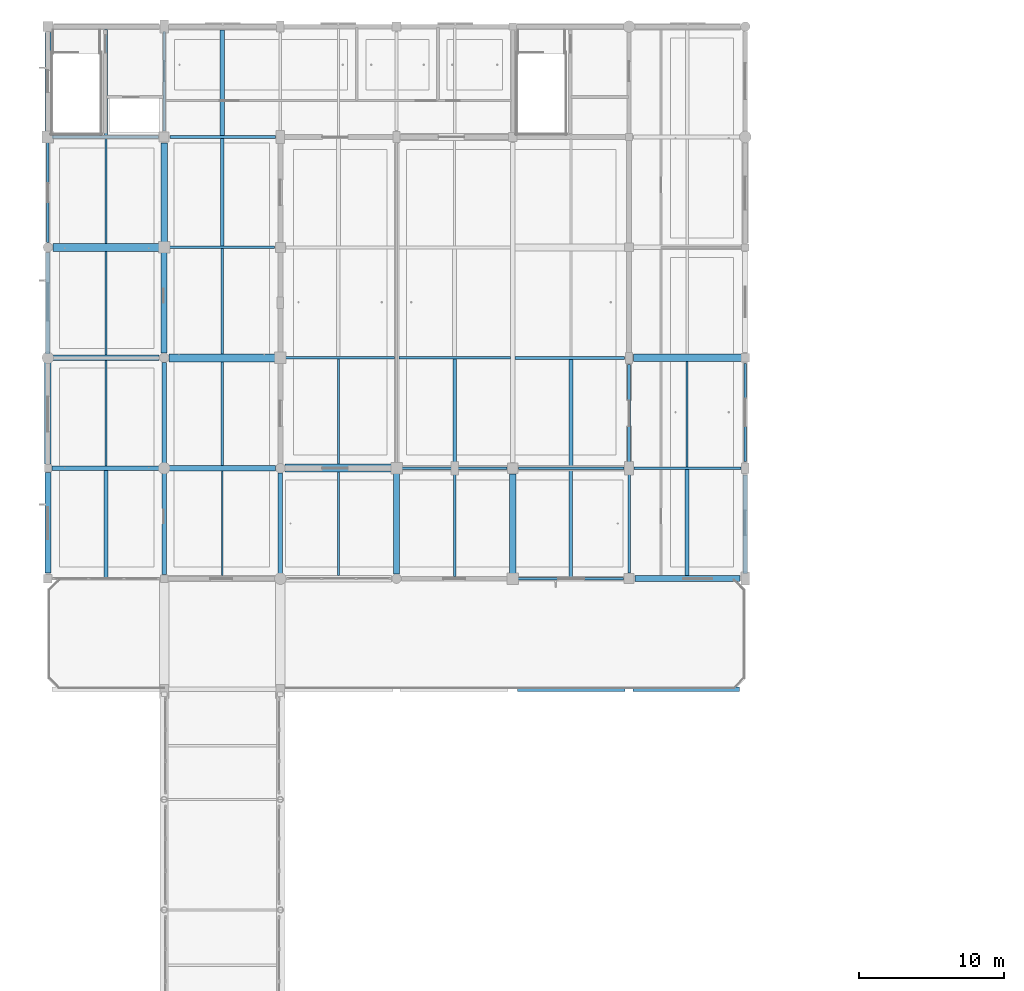
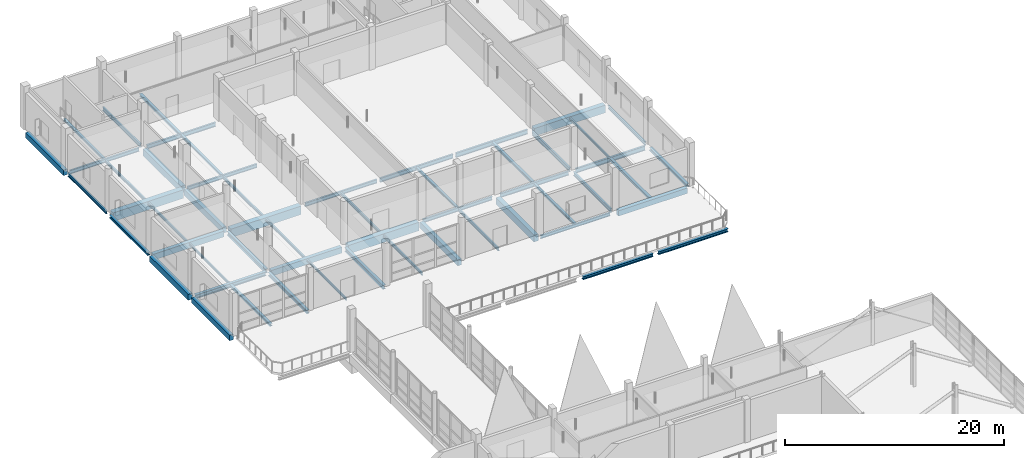
# One storey, part 41 of 141: 55 beams.
"""IFC4 building model written with IfcOpenShell, lengths in metres."""

from ifc_helpers import new_model, si_unit, direction, frame, origin, origin_2d, place, context, subcontext, project, spatial, rectangle, i_section, extrude, material, material_profile, profile_set, type_object, element, save


model = new_model("IFC4")

# Units and contexts
model_context = context("Model", 3, precision=1e-05, world=origin(), true_north=direction((0.0, 1.0)))
body_context = subcontext(model_context, "Body", "Model", "MODEL_VIEW")
ifc_project = project(units=[si_unit("LENGTHUNIT", "METRE"), si_unit("AREAUNIT", "SQUARE_METRE"), si_unit("VOLUMEUNIT", "CUBIC_METRE"), si_unit("PLANEANGLEUNIT", "RADIAN"), si_unit("MASSUNIT", "GRAM", prefix="KILO")], contexts=[model_context])

# Site, building, storey
site_placement = place(None, origin())
site = spatial("IfcSite", under=ifc_project, at=site_placement, CompositionType="ELEMENT")
building_placement = place(site_placement, origin())
building = spatial("IfcBuilding", under=site, at=building_placement, Name="Khelvaren Railside Concert Hall", CompositionType="ELEMENT")
storey_placement = place(building_placement, frame((0.0, 0.0, 10.199951171875)))
storey = spatial("IfcBuildingStorey", under=building, at=storey_placement, Name="L02", CompositionType="ELEMENT", Elevation=10.199951171875)

# Beams
ifc_material_1 = material(Name="Steel S355", Category="steel")
ifc_material_profile_1 = material_profile(ifc_material_1, i_section(OverallWidth=0.300048828125, OverallDepth=0.389892578125, WebThickness=0.010986328125, FlangeThickness=0.01904296875, FilletRadius=0.027099609375, at=origin_2d()), Name="HEA 400")
ifc_profile_set_1 = profile_set([ifc_material_profile_1], Name="Steel S355")
beam_type_1 = type_object("IfcBeamType", Name="BM23", PredefinedType="BEAM", material=ifc_profile_set_1)
beam_1_placement = place(storey_placement, frame((8.0, 76.300048828125, -0.48486328125), z_axis=(0.0, 1.0, 0.0), x_axis=(-1.0, 0.0, 0.0)))
element("IfcBeam", 1, at=beam_1_placement, inside=storey, type_object=beam_type_1, Name="V4 L02 Beam Y2.2", PredefinedType="BEAM", context=body_context, shape_type="SweptSolid", body=[
    extrude(i_section(OverallWidth=0.300048828125, OverallDepth=0.389892578125, WebThickness=0.010986328125, FlangeThickness=0.01904296875, FilletRadius=0.027099609375, at=origin_2d()), origin(), (0.0, 0.0, 1.0), 7.050048828125),
])
ifc_material_profile_2 = material_profile(ifc_material_1, i_section(OverallWidth=0.179931640625, OverallDepth=0.39990234375, WebThickness=0.008544921875, FlangeThickness=0.013427734375, FilletRadius=0.02099609375, at=origin_2d()), Name="IPE 400")
ifc_profile_set_2 = profile_set([ifc_material_profile_2], Name="Steel S355")
beam_type_2 = type_object("IfcBeamType", Name="BM29", PredefinedType="BEAM", material=ifc_profile_set_2)
beam_2_placement = place(storey_placement, frame((24.27294921875, 83.60009765625, -0.489990234375), z_axis=(1.0, 0.0, 0.0), x_axis=(0.0, 1.0, 0.0)))
element("IfcBeam", 2, at=beam_2_placement, inside=storey, type_object=beam_type_2, Name="V4 L02 Beam X3.4", PredefinedType="BEAM", context=body_context, shape_type="SweptSolid", body=[
    extrude(i_section(OverallWidth=0.179931640625, OverallDepth=0.39990234375, WebThickness=0.008544921875, FlangeThickness=0.013427734375, FilletRadius=0.02099609375, at=origin_2d()), origin(), (0.0, 0.0, 1.0), 7.3271484375),
])
beam_3_placement = place(storey_placement, frame((16.27294921875, 91.199951171875, -0.489990234375), z_axis=(1.0, 0.0, 0.0), x_axis=(0.0, 1.0, 0.0)))
element("IfcBeam", 3, at=beam_3_placement, inside=storey, type_object=beam_type_2, Name="V4 L02 Beam X4.3", PredefinedType="BEAM", context=body_context, shape_type="SweptSolid", body=[
    extrude(i_section(OverallWidth=0.179931640625, OverallDepth=0.39990234375, WebThickness=0.008544921875, FlangeThickness=0.013427734375, FilletRadius=0.02099609375, at=origin_2d()), origin(), (0.0, 0.0, 1.0), 7.5771484375),
])
for number, where, z_axis, x_axis, name in (
    (4, (8.27294921875, 98.800048828125, -0.489990234375), (1.0, 0.0, 0.0), (0.0, 1.0, 0.0), "V4 L02 Beam X5.2"),
    (5, (0.27294921875, 106.39990234375, -0.489990234375), (1.0, 0.0, 0.0), (0.0, 1.0, 0.0), "V4 L02 Beam X6.1"),
):
    element("IfcBeam", number, at=place(storey_placement, frame(where, z_axis=z_axis, x_axis=x_axis)), inside=storey, type_object=beam_type_2, Name=name, PredefinedType="BEAM", context=body_context, shape_type="SweptSolid", body=[
        extrude(i_section(OverallWidth=0.179931640625, OverallDepth=0.39990234375, WebThickness=0.008544921875, FlangeThickness=0.013427734375, FilletRadius=0.02099609375, at=origin_2d()), origin(), (0.0, 0.0, 1.0), 7.3271484375),
    ])
beam_4_placement = place(storey_placement, frame((8.0, 106.800048828125, -0.489990234375), z_axis=(0.0, 1.0, 0.0), x_axis=(-1.0, 0.0, 0.0)))
element("IfcBeam", 6, at=beam_4_placement, inside=storey, type_object=beam_type_2, Name="V4 L02 Beam Y2.6", PredefinedType="BEAM", context=body_context, shape_type="SweptSolid", body=[
    extrude(i_section(OverallWidth=0.179931640625, OverallDepth=0.39990234375, WebThickness=0.008544921875, FlangeThickness=0.013427734375, FilletRadius=0.02099609375, at=origin_2d()), origin(), (0.0, 0.0, 1.0), 6.849853515625),
])
beam_5_placement = place(storey_placement, frame((40.0, 76.39990234375, -0.489990234375), z_axis=(0.0, 1.0, 0.0), x_axis=(-1.0, 0.0, 0.0)))
element("IfcBeam", 7, at=beam_5_placement, inside=storey, type_object=beam_type_2, Name="V4 L02 Beam Y6.2", PredefinedType="BEAM", context=body_context, shape_type="SweptSolid", body=[
    extrude(i_section(OverallWidth=0.179931640625, OverallDepth=0.39990234375, WebThickness=0.008544921875, FlangeThickness=0.013427734375, FilletRadius=0.02099609375, at=origin_2d()), origin(), (0.0, 0.0, 1.0), 6.85009765625),
])
ifc_material_2 = material(Name="Concrete C40/50", Category="concrete")
ifc_material_profile_3 = material_profile(ifc_material_2, rectangle(XDim=0.39990234375, YDim=0.64990234375, at=origin_2d()), Name="RCB 400x650")
ifc_profile_set_3 = profile_set([ifc_material_profile_3], Name="Concrete C40/50")
beam_type_3 = type_object("IfcBeamType", Name="BM33", PredefinedType="BEAM", material=ifc_profile_set_3)
for number, where, z_axis, x_axis, name in (
    (8, (8.25, 83.60009765625, -0.614990234375), (1.0, 0.0, 0.0), (0.0, 1.0, 0.0), "V4 L02 Beam X3.2"),
    (9, (0.25, 91.199951171875, -0.614990234375), (1.0, 0.0, 0.0), (0.0, 1.0, 0.0), "V4 L02 Beam X4.1"),
):
    element("IfcBeam", number, at=place(storey_placement, frame(where, z_axis=z_axis, x_axis=x_axis)), inside=storey, type_object=beam_type_3, Name=name, PredefinedType="BEAM", context=body_context, shape_type="SweptSolid", body=[
        extrude(rectangle(XDim=0.39990234375, YDim=0.64990234375, at=origin_2d()), origin(), (0.0, 0.0, 1.0), 7.4140625),
    ])
beam_6_placement = place(storey_placement, frame((8.0, 91.535888671875, -0.614990234375), z_axis=(0.0, 1.0, 0.0), x_axis=(-1.0, 0.0, 0.0)))
element("IfcBeam", 10, at=beam_6_placement, inside=storey, type_object=beam_type_3, Name="V4 L02 Beam Y2.4", PredefinedType="BEAM", context=body_context, shape_type="SweptSolid", body=[
    extrude(rectangle(XDim=0.39990234375, YDim=0.64990234375, at=origin_2d()), origin(), (0.0, 0.0, 1.0), 6.9912109375),
])
beam_7_placement = place(storey_placement, frame((24.0, 76.3359375, -0.614990234375), z_axis=(0.0, 1.0, 0.0), x_axis=(-1.0, 0.0, 0.0)))
element("IfcBeam", 11, at=beam_7_placement, inside=storey, type_object=beam_type_3, Name="V4 L02 Beam Y4.2", PredefinedType="BEAM", context=body_context, shape_type="SweptSolid", body=[
    extrude(rectangle(XDim=0.39990234375, YDim=0.64990234375, at=origin_2d()), origin(), (0.0, 0.0, 1.0), 6.990966796875),
])
ifc_material_profile_4 = material_profile(ifc_material_1, i_section(OverallWidth=0.199951171875, OverallDepth=0.5, WebThickness=0.01025390625, FlangeThickness=0.01611328125, FilletRadius=0.02099609375, at=origin_2d()), Name="IPE 500")
ifc_profile_set_4 = profile_set([ifc_material_profile_4], Name="Steel S355")
beam_type_4 = type_object("IfcBeamType", Name="BM62", PredefinedType="BEAM", material=ifc_profile_set_4)
beam_8_placement = place(storey_placement, frame((40.35009765625, 83.60009765625, -0.5400390625), z_axis=(1.0, 0.0, 0.0), x_axis=(0.0, 1.0, 0.0)))
element("IfcBeam", 12, at=beam_8_placement, inside=storey, type_object=beam_type_4, Name="V4 L02 Beam X3.6", PredefinedType="BEAM", context=body_context, shape_type="SweptSolid", body=[
    extrude(i_section(OverallWidth=0.199951171875, OverallDepth=0.5, WebThickness=0.01025390625, FlangeThickness=0.01611328125, FilletRadius=0.02099609375, at=origin_2d()), origin(), (0.0, 0.0, 1.0), 7.349853515625),
])
beam_9_placement = place(storey_placement, frame((32.14990234375, 91.199951171875, -0.5400390625), z_axis=(1.0, 0.0, 0.0), x_axis=(0.0, 1.0, 0.0)))
element("IfcBeam", 13, at=beam_9_placement, inside=storey, type_object=beam_type_4, Name="V4 L02 Beam X4.5", PredefinedType="BEAM", context=body_context, shape_type="SweptSolid", body=[
    extrude(i_section(OverallWidth=0.199951171875, OverallDepth=0.5, WebThickness=0.01025390625, FlangeThickness=0.01611328125, FilletRadius=0.02099609375, at=origin_2d()), origin(), (0.0, 0.0, 1.0), 7.550048828125),
])
ifc_material_profile_5 = material_profile(ifc_material_2, rectangle(XDim=0.449951171875, YDim=0.75, at=origin_2d()), Name="RCB 450x750")
ifc_profile_set_5 = profile_set([ifc_material_profile_5], Name="Concrete C40/50")
beam_type_5 = type_object("IfcBeamType", Name="BM83", PredefinedType="BEAM", material=ifc_profile_set_5)
for number, where, z_axis, x_axis, name in (
    (14, (8.0, 99.072998046875, -0.6650390625), (0.0, 1.0, 0.0), (-1.0, 0.0, 0.0), "V4 L02 Beam Y2.5"),
    (15, (32.0, 76.27294921875, -0.6650390625), (0.0, 1.0, 0.0), (-1.0, 0.0, 0.0), "V4 L02 Beam Y5.2"),
):
    element("IfcBeam", number, at=place(storey_placement, frame(where, z_axis=z_axis, x_axis=x_axis)), inside=storey, type_object=beam_type_5, Name=name, PredefinedType="BEAM", context=body_context, shape_type="SweptSolid", body=[
        extrude(rectangle(XDim=0.449951171875, YDim=0.75, at=origin_2d()), origin(), (0.0, 0.0, 1.0), 6.927001953125),
    ])
ifc_material_profile_6 = material_profile(ifc_material_1, i_section(OverallWidth=0.300048828125, OverallDepth=0.43994140625, WebThickness=0.011474609375, FlangeThickness=0.02099609375, FilletRadius=0.027099609375, at=origin_2d()), Name="HEA 450")
ifc_profile_set_6 = profile_set([ifc_material_profile_6], Name="Steel S355")
beam_type_6 = type_object("IfcBeamType", Name="BM89", PredefinedType="BEAM", material=ifc_profile_set_6)
beam_10_placement = place(storey_placement, frame((0.300048828125, 83.60009765625, -0.510009765625), z_axis=(1.0, 0.0, 0.0), x_axis=(0.0, 1.0, 0.0)))
element("IfcBeam", 16, at=beam_10_placement, inside=storey, type_object=beam_type_6, Name="V4 L02 Beam X3.1", PredefinedType="BEAM", context=body_context, shape_type="SweptSolid", body=[
    extrude(i_section(OverallWidth=0.300048828125, OverallDepth=0.43994140625, WebThickness=0.011474609375, FlangeThickness=0.02099609375, FilletRadius=0.027099609375, at=origin_2d()), origin(), (0.0, 0.0, 1.0), 7.449951171875),
])
for number, where, z_axis, x_axis, name in (
    (17, (8.0, 83.85009765625, -0.510009765625), (0.0, 1.0, 0.0), (-1.0, 0.0, 0.0), "V4 L02 Beam Y2.3"),
    (18, (16.0, 76.25, -0.510009765625), (0.0, 1.0, 0.0), (-1.0, 0.0, 0.0), "V4 L02 Beam Y3.2"),
):
    element("IfcBeam", number, at=place(storey_placement, frame(where, z_axis=z_axis, x_axis=x_axis)), inside=storey, type_object=beam_type_6, Name=name, PredefinedType="BEAM", context=body_context, shape_type="SweptSolid", body=[
        extrude(i_section(OverallWidth=0.300048828125, OverallDepth=0.43994140625, WebThickness=0.011474609375, FlangeThickness=0.02099609375, FilletRadius=0.027099609375, at=origin_2d()), origin(), (0.0, 0.0, 1.0), 7.013916015625),
    ])
ifc_material_profile_7 = material_profile(ifc_material_1, i_section(OverallWidth=0.18994140625, OverallDepth=0.449951171875, WebThickness=0.009521484375, FlangeThickness=0.0146484375, FilletRadius=0.02099609375, at=origin_2d()), Name="IPE 450")
ifc_profile_set_7 = profile_set([ifc_material_profile_7], Name="Steel S355")
beam_type_7 = type_object("IfcBeamType", Name="BM95", PredefinedType="BEAM", material=ifc_profile_set_7)
beam_11_placement = place(storey_placement, frame((32.39990234375, 83.60009765625, -0.514892578125), z_axis=(1.0, 0.0, 0.0), x_axis=(0.0, 1.0, 0.0)))
element("IfcBeam", 19, at=beam_11_placement, inside=storey, type_object=beam_type_7, Name="V4 L02 Beam X3.5", PredefinedType="BEAM", context=body_context, shape_type="SweptSolid", body=[
    extrude(i_section(OverallWidth=0.18994140625, OverallDepth=0.449951171875, WebThickness=0.009521484375, FlangeThickness=0.0146484375, FilletRadius=0.02099609375, at=origin_2d()), origin(), (0.0, 0.0, 1.0), 7.25),
])
beam_12_placement = place(storey_placement, frame((24.14990234375, 91.199951171875, -0.514892578125), z_axis=(1.0, 0.0, 0.0), x_axis=(0.0, 1.0, 0.0)))
element("IfcBeam", 20, at=beam_12_placement, inside=storey, type_object=beam_type_7, Name="V4 L02 Beam X4.4", PredefinedType="BEAM", context=body_context, shape_type="SweptSolid", body=[
    extrude(i_section(OverallWidth=0.18994140625, OverallDepth=0.449951171875, WebThickness=0.009521484375, FlangeThickness=0.0146484375, FilletRadius=0.02099609375, at=origin_2d()), origin(), (0.0, 0.0, 1.0), 7.7001953125),
])
beam_13_placement = place(storey_placement, frame((8.39990234375, 106.39990234375, -0.514892578125), z_axis=(1.0, 0.0, 0.0), x_axis=(0.0, 1.0, 0.0)))
element("IfcBeam", 21, at=beam_13_placement, inside=storey, type_object=beam_type_7, Name="V4 L02 Beam X6.2", PredefinedType="BEAM", context=body_context, shape_type="SweptSolid", body=[
    extrude(i_section(OverallWidth=0.18994140625, OverallDepth=0.449951171875, WebThickness=0.009521484375, FlangeThickness=0.0146484375, FilletRadius=0.02099609375, at=origin_2d()), origin(), (0.0, 0.0, 1.0), 7.25),
])
beam_14_placement = place(storey_placement, frame((40.0, 83.949951171875, -0.514892578125), z_axis=(0.0, 1.0, 0.0), x_axis=(-1.0, 0.0, 0.0)))
element("IfcBeam", 22, at=beam_14_placement, inside=storey, type_object=beam_type_7, Name="V4 L02 Beam Y6.3", PredefinedType="BEAM", context=body_context, shape_type="SweptSolid", body=[
    extrude(i_section(OverallWidth=0.18994140625, OverallDepth=0.449951171875, WebThickness=0.009521484375, FlangeThickness=0.0146484375, FilletRadius=0.02099609375, at=origin_2d()), origin(), (0.0, 0.0, 1.0), 6.800048828125),
])
ifc_material_profile_8 = material_profile(ifc_material_2, rectangle(XDim=0.550048828125, YDim=0.949951171875, at=origin_2d()), Name="RCB 550x950")
ifc_profile_set_8 = profile_set([ifc_material_profile_8], Name="Concrete C40/50")
beam_type_8 = type_object("IfcBeamType", Name="GR57", PredefinedType="T_BEAM", material=ifc_profile_set_8)
for number, where, z_axis, x_axis, name in (
    (23, (16.3359375, 83.60009765625, -0.764892578125), (1.0, 0.0, 0.0), (0.0, 1.0, 0.0), "V4 L02 T_Beam X3.3"),
    (24, (8.3359375, 91.199951171875, -0.764892578125), (1.0, 0.0, 0.0), (0.0, 1.0, 0.0), "V4 L02 T_Beam X4.2"),
    (25, (0.3359375, 98.800048828125, -0.764892578125), (1.0, 0.0, 0.0), (0.0, 1.0, 0.0), "V4 L02 T_Beam X5.1"),
):
    element("IfcBeam", number, at=place(storey_placement, frame(where, z_axis=z_axis, x_axis=x_axis)), inside=storey, type_object=beam_type_8, Name=name, PredefinedType="T_BEAM", context=body_context, shape_type="SweptSolid", body=[
        extrude(rectangle(XDim=0.550048828125, YDim=0.949951171875, at=origin_2d()), origin(), (0.0, 0.0, 1.0), 7.39111328125),
    ])
ifc_material_profile_9 = material_profile(ifc_material_2, rectangle(XDim=0.5, YDim=0.85009765625, at=origin_2d()), Name="RCB 500x850")
ifc_profile_set_9 = profile_set([ifc_material_profile_9], Name="Concrete C40/50")
beam_type_9 = type_object("IfcBeamType", Name="GR96", PredefinedType="T_BEAM", material=ifc_profile_set_9)
beam_15_placement = place(storey_placement, frame((40.300048828125, 91.199951171875, -0.71484375), z_axis=(1.0, 0.0, 0.0), x_axis=(0.0, 1.0, 0.0)))
element("IfcBeam", 26, at=beam_15_placement, inside=storey, type_object=beam_type_9, Name="V4 L02 T_Beam X4.6", PredefinedType="T_BEAM", context=body_context, shape_type="SweptSolid", body=[
    extrude(rectangle(XDim=0.5, YDim=0.85009765625, at=origin_2d()), origin(), (0.0, 0.0, 1.0), 7.449951171875),
])
ifc_material_profile_10 = material_profile(ifc_material_1, i_section(OverallWidth=0.14990234375, OverallDepth=0.300048828125, WebThickness=0.007080078125, FlangeThickness=0.0107421875, FilletRadius=0.014892578125, at=origin_2d()), Name="IPE 300")
ifc_profile_set_10 = profile_set([ifc_material_profile_10], Name="Steel S355")
beam_type_10 = type_object("IfcBeamType", Name="JS26", PredefinedType="JOIST", material=ifc_profile_set_10)
for number, where, z_axis, x_axis, name in (
    (27, (4.0, 91.39990234375, -0.43994140625), (0.0, 1.0, 0.0), (-1.0, 0.0, 0.0), "V4 L02 Secondary Joist 1.4"),
    (28, (12.0, 83.800048828125, -0.43994140625), (0.0, 1.0, 0.0), (-1.0, 0.0, 0.0), "V4 L02 Secondary Joist 2.3"),
):
    element("IfcBeam", number, at=place(storey_placement, frame(where, z_axis=z_axis, x_axis=x_axis)), inside=storey, type_object=beam_type_10, Name=name, PredefinedType="JOIST", context=body_context, shape_type="SweptSolid", body=[
        extrude(i_section(OverallWidth=0.14990234375, OverallDepth=0.300048828125, WebThickness=0.007080078125, FlangeThickness=0.0107421875, FilletRadius=0.014892578125, at=origin_2d()), origin(), (0.0, 0.0, 1.0), 7.125),
    ])
beam_16_placement = place(storey_placement, frame((20.0, 76.22509765625, -0.43994140625), z_axis=(0.0, 1.0, 0.0), x_axis=(-1.0, 0.0, 0.0)))
element("IfcBeam", 29, at=beam_16_placement, inside=storey, type_object=beam_type_10, Name="V4 L02 Secondary Joist 3.2", PredefinedType="JOIST", context=body_context, shape_type="SweptSolid", body=[
    extrude(i_section(OverallWidth=0.14990234375, OverallDepth=0.300048828125, WebThickness=0.007080078125, FlangeThickness=0.0107421875, FilletRadius=0.014892578125, at=origin_2d()), origin(), (0.0, 0.0, 1.0), 7.099853515625),
])
ifc_material_profile_11 = material_profile(ifc_material_1, i_section(OverallWidth=0.280029296875, OverallDepth=0.27001953125, WebThickness=0.008056640625, FlangeThickness=0.012939453125, FilletRadius=0.02392578125, at=origin_2d()), Name="HEA 280")
ifc_profile_set_11 = profile_set([ifc_material_profile_11], Name="Steel S355")
beam_type_11 = type_object("IfcBeamType", Name="JS46", PredefinedType="JOIST", material=ifc_profile_set_11)
beam_17_placement = place(storey_placement, frame((4.0, 76.0849609375, -0.425048828125), z_axis=(0.0, 1.0, 0.0), x_axis=(-1.0, 0.0, 0.0)))
element("IfcBeam", 30, at=beam_17_placement, inside=storey, type_object=beam_type_11, Name="V4 L02 Secondary Joist 1.2", PredefinedType="JOIST", context=body_context, shape_type="SweptSolid", body=[
    extrude(i_section(OverallWidth=0.280029296875, OverallDepth=0.27001953125, WebThickness=0.008056640625, FlangeThickness=0.012939453125, FilletRadius=0.02392578125, at=origin_2d()), origin(), (0.0, 0.0, 1.0), 7.364990234375),
])
beam_18_placement = place(storey_placement, frame((12.0, 106.4951171875, -0.425048828125), z_axis=(0.0, 1.0, 0.0), x_axis=(-1.0, 0.0, 0.0)))
element("IfcBeam", 31, at=beam_18_placement, inside=storey, type_object=beam_type_11, Name="V4 L02 Secondary Joist 2.6", PredefinedType="JOIST", context=body_context, shape_type="SweptSolid", body=[
    extrude(i_section(OverallWidth=0.280029296875, OverallDepth=0.27001953125, WebThickness=0.008056640625, FlangeThickness=0.012939453125, FilletRadius=0.02392578125, at=origin_2d()), origin(), (0.0, 0.0, 1.0), 7.27978515625),
])
beam_19_placement = place(storey_placement, frame((36.0, 83.695068359375, -0.425048828125), z_axis=(0.0, 1.0, 0.0), x_axis=(-1.0, 0.0, 0.0)))
element("IfcBeam", 32, at=beam_19_placement, inside=storey, type_object=beam_type_11, Name="V4 L02 Secondary Joist 5.3", PredefinedType="JOIST", context=body_context, shape_type="SweptSolid", body=[
    extrude(i_section(OverallWidth=0.280029296875, OverallDepth=0.27001953125, WebThickness=0.008056640625, FlangeThickness=0.012939453125, FilletRadius=0.02392578125, at=origin_2d()), origin(), (0.0, 0.0, 1.0), 7.405029296875),
])
beam_20_placement = place(storey_placement, frame((44.0, 76.199951171875, -0.425048828125), z_axis=(0.0, 1.0, 0.0), x_axis=(-1.0, 0.0, 0.0)))
element("IfcBeam", 33, at=beam_20_placement, inside=storey, type_object=beam_type_11, Name="V4 L02 Secondary Joist 6.2", PredefinedType="JOIST", context=body_context, shape_type="SweptSolid", body=[
    extrude(i_section(OverallWidth=0.280029296875, OverallDepth=0.27001953125, WebThickness=0.008056640625, FlangeThickness=0.012939453125, FilletRadius=0.02392578125, at=origin_2d()), origin(), (0.0, 0.0, 1.0), 7.300048828125),
])
ifc_material_profile_12 = material_profile(ifc_material_1, i_section(OverallWidth=0.159912109375, OverallDepth=0.330078125, WebThickness=0.007568359375, FlangeThickness=0.011474609375, FilletRadius=0.01806640625, at=origin_2d()), Name="IPE 330")
ifc_profile_set_12 = profile_set([ifc_material_profile_12], Name="Steel S355")
beam_type_12 = type_object("IfcBeamType", Name="JS65", PredefinedType="JOIST", material=ifc_profile_set_12)
beam_21_placement = place(storey_placement, frame((4.0, 99.074951171875, -0.454833984375), z_axis=(0.0, 1.0, 0.0), x_axis=(-1.0, 0.0, 0.0)))
element("IfcBeam", 34, at=beam_21_placement, inside=storey, type_object=beam_type_12, Name="V4 L02 Secondary Joist 1.5", PredefinedType="JOIST", context=body_context, shape_type="SweptSolid", body=[
    extrude(i_section(OverallWidth=0.159912109375, OverallDepth=0.330078125, WebThickness=0.007568359375, FlangeThickness=0.011474609375, FilletRadius=0.01806640625, at=origin_2d()), origin(), (0.0, 0.0, 1.0), 7.235107421875),
])
beam_22_placement = place(storey_placement, frame((12.0, 91.47509765625, -0.454833984375), z_axis=(0.0, 1.0, 0.0), x_axis=(-1.0, 0.0, 0.0)))
element("IfcBeam", 35, at=beam_22_placement, inside=storey, type_object=beam_type_12, Name="V4 L02 Secondary Joist 2.4", PredefinedType="JOIST", context=body_context, shape_type="SweptSolid", body=[
    extrude(i_section(OverallWidth=0.159912109375, OverallDepth=0.330078125, WebThickness=0.007568359375, FlangeThickness=0.011474609375, FilletRadius=0.01806640625, at=origin_2d()), origin(), (0.0, 0.0, 1.0), 7.23486328125),
])
beam_23_placement = place(storey_placement, frame((20.0, 83.875, -0.454833984375), z_axis=(0.0, 1.0, 0.0), x_axis=(-1.0, 0.0, 0.0)))
element("IfcBeam", 36, at=beam_23_placement, inside=storey, type_object=beam_type_12, Name="V4 L02 Secondary Joist 3.3", PredefinedType="JOIST", context=body_context, shape_type="SweptSolid", body=[
    extrude(i_section(OverallWidth=0.159912109375, OverallDepth=0.330078125, WebThickness=0.007568359375, FlangeThickness=0.011474609375, FilletRadius=0.01806640625, at=origin_2d()), origin(), (0.0, 0.0, 1.0), 7.235107421875),
])
beam_24_placement = place(storey_placement, frame((28.0, 76.14990234375, -0.454833984375), z_axis=(0.0, 1.0, 0.0), x_axis=(-1.0, 0.0, 0.0)))
element("IfcBeam", 37, at=beam_24_placement, inside=storey, type_object=beam_type_12, Name="V4 L02 Secondary Joist 4.2", PredefinedType="JOIST", context=body_context, shape_type="SweptSolid", body=[
    extrude(i_section(OverallWidth=0.159912109375, OverallDepth=0.330078125, WebThickness=0.007568359375, FlangeThickness=0.011474609375, FilletRadius=0.01806640625, at=origin_2d()), origin(), (0.0, 0.0, 1.0), 7.360107421875),
])
ifc_material_profile_13 = material_profile(ifc_material_1, i_section(OverallWidth=0.239990234375, OverallDepth=0.22998046875, WebThickness=0.007568359375, FlangeThickness=0.011962890625, FilletRadius=0.02099609375, at=origin_2d()), Name="HEA 240")
ifc_profile_set_13 = profile_set([ifc_material_profile_13], Name="Steel S355")
beam_type_13 = type_object("IfcBeamType", Name="JS76", PredefinedType="JOIST", material=ifc_profile_set_13)
beam_25_placement = place(storey_placement, frame((4.0, 106.489990234375, -0.405029296875), z_axis=(0.0, 1.0, 0.0), x_axis=(-1.0, 0.0, 0.0)))
element("IfcBeam", 38, at=beam_25_placement, inside=storey, type_object=beam_type_13, Name="V4 L02 Secondary Joist 1.6", PredefinedType="JOIST", context=body_context, shape_type="SweptSolid", body=[
    extrude(i_section(OverallWidth=0.239990234375, OverallDepth=0.22998046875, WebThickness=0.007568359375, FlangeThickness=0.011962890625, FilletRadius=0.02099609375, at=origin_2d()), origin(), (0.0, 0.0, 1.0), 7.31005859375),
])
for number, where, z_axis, x_axis, name in (
    (39, (12.0, 98.889892578125, -0.405029296875), (0.0, 1.0, 0.0), (-1.0, 0.0, 0.0), "V4 L02 Secondary Joist 2.5"),
    (40, (28.0, 83.68994140625, -0.405029296875), (0.0, 1.0, 0.0), (-1.0, 0.0, 0.0), "V4 L02 Secondary Joist 4.3"),
):
    element("IfcBeam", number, at=place(storey_placement, frame(where, z_axis=z_axis, x_axis=x_axis)), inside=storey, type_object=beam_type_13, Name=name, PredefinedType="JOIST", context=body_context, shape_type="SweptSolid", body=[
        extrude(i_section(OverallWidth=0.239990234375, OverallDepth=0.22998046875, WebThickness=0.007568359375, FlangeThickness=0.011962890625, FilletRadius=0.02099609375, at=origin_2d()), origin(), (0.0, 0.0, 1.0), 7.4150390625),
    ])
beam_26_placement = place(storey_placement, frame((36.0, 76.0849609375, -0.405029296875), z_axis=(0.0, 1.0, 0.0), x_axis=(-1.0, 0.0, 0.0)))
element("IfcBeam", 41, at=beam_26_placement, inside=storey, type_object=beam_type_13, Name="V4 L02 Secondary Joist 5.2", PredefinedType="JOIST", context=body_context, shape_type="SweptSolid", body=[
    extrude(i_section(OverallWidth=0.239990234375, OverallDepth=0.22998046875, WebThickness=0.007568359375, FlangeThickness=0.011962890625, FilletRadius=0.02099609375, at=origin_2d()), origin(), (0.0, 0.0, 1.0), 7.419921875),
])
ifc_material_profile_14 = material_profile(ifc_material_1, i_section(OverallWidth=0.135009765625, OverallDepth=0.27001953125, WebThickness=0.006591796875, FlangeThickness=0.01025390625, FilletRadius=0.014892578125, at=origin_2d()), Name="IPE 270")
ifc_profile_set_14 = profile_set([ifc_material_profile_14], Name="Steel S355")
beam_type_14 = type_object("IfcBeamType", Name="JS78", PredefinedType="JOIST", material=ifc_profile_set_14)
beam_27_placement = place(storey_placement, frame((4.0, 83.75, -0.425048828125), z_axis=(0.0, 1.0, 0.0), x_axis=(-1.0, 0.0, 0.0)))
element("IfcBeam", 42, at=beam_27_placement, inside=storey, type_object=beam_type_14, Name="V4 L02 Secondary Joist 1.3", PredefinedType="JOIST", context=body_context, shape_type="SweptSolid", body=[
    extrude(i_section(OverallWidth=0.135009765625, OverallDepth=0.27001953125, WebThickness=0.006591796875, FlangeThickness=0.01025390625, FilletRadius=0.014892578125, at=origin_2d()), origin(), (0.0, 0.0, 1.0), 7.25),
])
beam_28_placement = place(storey_placement, frame((12.0, 76.199951171875, -0.425048828125), z_axis=(0.0, 1.0, 0.0), x_axis=(-1.0, 0.0, 0.0)))
element("IfcBeam", 43, at=beam_28_placement, inside=storey, type_object=beam_type_14, Name="V4 L02 Secondary Joist 2.2", PredefinedType="JOIST", context=body_context, shape_type="SweptSolid", body=[
    extrude(i_section(OverallWidth=0.135009765625, OverallDepth=0.27001953125, WebThickness=0.006591796875, FlangeThickness=0.01025390625, FilletRadius=0.014892578125, at=origin_2d()), origin(), (0.0, 0.0, 1.0), 7.199951171875),
])
beam_29_placement = place(storey_placement, frame((44.0, 83.699951171875, -0.425048828125), z_axis=(0.0, 1.0, 0.0), x_axis=(-1.0, 0.0, 0.0)))
element("IfcBeam", 44, at=beam_29_placement, inside=storey, type_object=beam_type_14, Name="V4 L02 Secondary Joist 6.3", PredefinedType="JOIST", context=body_context, shape_type="SweptSolid", body=[
    extrude(i_section(OverallWidth=0.135009765625, OverallDepth=0.27001953125, WebThickness=0.006591796875, FlangeThickness=0.01025390625, FilletRadius=0.014892578125, at=origin_2d()), origin(), (0.0, 0.0, 1.0), 7.25),
])
ifc_material_profile_15 = material_profile(ifc_material_2, rectangle(XDim=0.449951171875, YDim=0.64990234375, at=origin_2d()), Name="RCB 450x650")
ifc_profile_set_15 = profile_set([ifc_material_profile_15], Name="Concrete C40/50")
beam_type_15 = type_object("IfcBeamType", Name="SP34", PredefinedType="SPANDREL", material=ifc_profile_set_15)
beam_30_placement = place(storey_placement, frame((0.0, 83.89990234375, -0.614990234375), z_axis=(0.0, 1.0, 0.0), x_axis=(-1.0, 0.0, 0.0)))
element("IfcBeam", 45, at=beam_30_placement, inside=storey, type_object=beam_type_15, Name="V4 L02 Spandrel Y1.3", PredefinedType="SPANDREL", context=body_context, shape_type="SweptSolid", body=[
    extrude(rectangle(XDim=0.449951171875, YDim=0.64990234375, at=origin_2d()), origin(), (0.0, 0.0, 1.0), 7.050048828125),
])
ifc_material_profile_16 = material_profile(ifc_material_1, i_section(OverallWidth=0.300048828125, OverallDepth=0.35009765625, WebThickness=0.010009765625, FlangeThickness=0.017578125, FilletRadius=0.027099609375, at=origin_2d()), Name="HEA 360")
ifc_profile_set_16 = profile_set([ifc_material_profile_16], Name="Steel S355")
beam_type_16 = type_object("IfcBeamType", Name="SP38", PredefinedType="SPANDREL", material=ifc_profile_set_16)
beam_31_placement = place(storey_placement, frame((32.3359375, 68.39990234375, -0.4150390625), z_axis=(1.0, 0.0, 0.0), x_axis=(0.0, 1.0, 0.0)))
element("IfcBeam", 46, at=beam_31_placement, inside=storey, type_object=beam_type_16, Name="V4 L02 Terrace Edge Spandrel 18", PredefinedType="SPANDREL", context=body_context, shape_type="SweptSolid", body=[
    extrude(i_section(OverallWidth=0.300048828125, OverallDepth=0.35009765625, WebThickness=0.010009765625, FlangeThickness=0.017578125, FilletRadius=0.027099609375, at=origin_2d()), origin(), (0.0, 0.0, 1.0), 7.39111328125),
])
beam_32_placement = place(storey_placement, frame((40.27294921875, 68.39990234375, -0.4150390625), z_axis=(1.0, 0.0, 0.0), x_axis=(0.0, 1.0, 0.0)))
element("IfcBeam", 47, at=beam_32_placement, inside=storey, type_object=beam_type_16, Name="V4 L02 Terrace Edge Spandrel 19", PredefinedType="SPANDREL", context=body_context, shape_type="SweptSolid", body=[
    extrude(i_section(OverallWidth=0.300048828125, OverallDepth=0.35009765625, WebThickness=0.010009765625, FlangeThickness=0.017578125, FilletRadius=0.027099609375, at=origin_2d()), origin(), (0.0, 0.0, 1.0), 7.3271484375),
])
ifc_material_profile_17 = material_profile(ifc_material_1, i_section(OverallWidth=0.300048828125, OverallDepth=0.31005859375, WebThickness=0.009033203125, FlangeThickness=0.015380859375, FilletRadius=0.027099609375, at=origin_2d()), Name="HEA 320")
ifc_profile_set_17 = profile_set([ifc_material_profile_17], Name="Steel S355")
beam_type_17 = type_object("IfcBeamType", Name="SP66", PredefinedType="SPANDREL", material=ifc_profile_set_17)
beam_33_placement = place(storey_placement, frame((0.0, 91.449951171875, -0.445068359375), z_axis=(0.0, 1.0, 0.0), x_axis=(-1.0, 0.0, 0.0)))
element("IfcBeam", 48, at=beam_33_placement, inside=storey, type_object=beam_type_17, Name="V4 L02 Spandrel Y1.4", PredefinedType="SPANDREL", context=body_context, shape_type="SweptSolid", body=[
    extrude(i_section(OverallWidth=0.300048828125, OverallDepth=0.31005859375, WebThickness=0.009033203125, FlangeThickness=0.015380859375, FilletRadius=0.027099609375, at=origin_2d()), origin(), (0.0, 0.0, 1.0), 7.01416015625),
])
beam_34_placement = place(storey_placement, frame((48.0, 76.35009765625, -0.445068359375), z_axis=(0.0, 1.0, 0.0), x_axis=(-1.0, 0.0, 0.0)))
element("IfcBeam", 49, at=beam_34_placement, inside=storey, type_object=beam_type_17, Name="V4 L02 Spandrel Y7.2", PredefinedType="SPANDREL", context=body_context, shape_type="SweptSolid", body=[
    extrude(i_section(OverallWidth=0.300048828125, OverallDepth=0.31005859375, WebThickness=0.009033203125, FlangeThickness=0.015380859375, FilletRadius=0.027099609375, at=origin_2d()), origin(), (0.0, 0.0, 1.0), 6.7998046875),
])
ifc_material_profile_18 = material_profile(ifc_material_1, i_section(OverallWidth=0.169921875, OverallDepth=0.360107421875, WebThickness=0.008056640625, FlangeThickness=0.0126953125, FilletRadius=0.01806640625, at=origin_2d()), Name="IPE 360")
ifc_profile_set_18 = profile_set([ifc_material_profile_18], Name="Steel S355")
beam_type_18 = type_object("IfcBeamType", Name="SP74", PredefinedType="SPANDREL", material=ifc_profile_set_18)
beam_35_placement = place(storey_placement, frame((32.27294921875, 76.0, -0.469970703125), z_axis=(1.0, 0.0, 0.0), x_axis=(0.0, 1.0, 0.0)))
element("IfcBeam", 50, at=beam_35_placement, inside=storey, type_object=beam_type_18, Name="V4 L02 Spandrel X2.5", PredefinedType="SPANDREL", context=body_context, shape_type="SweptSolid", body=[
    extrude(i_section(OverallWidth=0.169921875, OverallDepth=0.360107421875, WebThickness=0.008056640625, FlangeThickness=0.0126953125, FilletRadius=0.01806640625, at=origin_2d()), origin(), (0.0, 0.0, 1.0), 7.3271484375),
])
beam_36_placement = place(storey_placement, frame((0.0, 99.135986328125, -0.469970703125), z_axis=(0.0, 1.0, 0.0), x_axis=(-1.0, 0.0, 0.0)))
element("IfcBeam", 51, at=beam_36_placement, inside=storey, type_object=beam_type_18, Name="V4 L02 Spandrel Y1.5", PredefinedType="SPANDREL", context=body_context, shape_type="SweptSolid", body=[
    extrude(i_section(OverallWidth=0.169921875, OverallDepth=0.360107421875, WebThickness=0.008056640625, FlangeThickness=0.0126953125, FilletRadius=0.01806640625, at=origin_2d()), origin(), (0.0, 0.0, 1.0), 6.990966796875),
])
beam_37_placement = place(storey_placement, frame((48.0, 84.050048828125, -0.469970703125), z_axis=(0.0, 1.0, 0.0), x_axis=(-1.0, 0.0, 0.0)))
element("IfcBeam", 52, at=beam_37_placement, inside=storey, type_object=beam_type_18, Name="V4 L02 Spandrel Y7.3", PredefinedType="SPANDREL", context=body_context, shape_type="SweptSolid", body=[
    extrude(i_section(OverallWidth=0.169921875, OverallDepth=0.360107421875, WebThickness=0.008056640625, FlangeThickness=0.0126953125, FilletRadius=0.01806640625, at=origin_2d()), origin(), (0.0, 0.0, 1.0), 6.77490234375),
])
ifc_material_profile_19 = material_profile(ifc_material_2, rectangle(XDim=0.39990234375, YDim=0.60009765625, at=origin_2d()), Name="RCB 400x600")
ifc_profile_set_19 = profile_set([ifc_material_profile_19], Name="Concrete C40/50")
beam_type_19 = type_object("IfcBeamType", Name="SP75", PredefinedType="SPANDREL", material=ifc_profile_set_19)
beam_38_placement = place(storey_placement, frame((40.39990234375, 76.0, -0.58984375), z_axis=(1.0, 0.0, 0.0), x_axis=(0.0, 1.0, 0.0)))
element("IfcBeam", 53, at=beam_38_placement, inside=storey, type_object=beam_type_19, Name="V4 L02 Spandrel X2.6", PredefinedType="SPANDREL", context=body_context, shape_type="SweptSolid", body=[
    extrude(rectangle(XDim=0.39990234375, YDim=0.60009765625, at=origin_2d()), origin(), (0.0, 0.0, 1.0), 7.25),
])
beam_39_placement = place(storey_placement, frame((0.0, 76.375, -0.58984375), z_axis=(0.0, 1.0, 0.0), x_axis=(-1.0, 0.0, 0.0)))
element("IfcBeam", 54, at=beam_39_placement, inside=storey, type_object=beam_type_19, Name="V4 L02 Spandrel Y1.2", PredefinedType="SPANDREL", context=body_context, shape_type="SweptSolid", body=[
    extrude(rectangle(XDim=0.39990234375, YDim=0.60009765625, at=origin_2d()), origin(), (0.0, 0.0, 1.0), 6.925048828125),
])
beam_40_placement = place(storey_placement, frame((0.0, 106.673095703125, -0.58984375), z_axis=(0.0, 1.0, 0.0), x_axis=(-1.0, 0.0, 0.0)))
element("IfcBeam", 55, at=beam_40_placement, inside=storey, type_object=beam_type_19, Name="V4 L02 Spandrel Y1.6", PredefinedType="SPANDREL", context=body_context, shape_type="SweptSolid", body=[
    extrude(rectangle(XDim=0.39990234375, YDim=0.60009765625, at=origin_2d()), origin(), (0.0, 0.0, 1.0), 6.927001953125),
])

save(model, "model.ifc")
